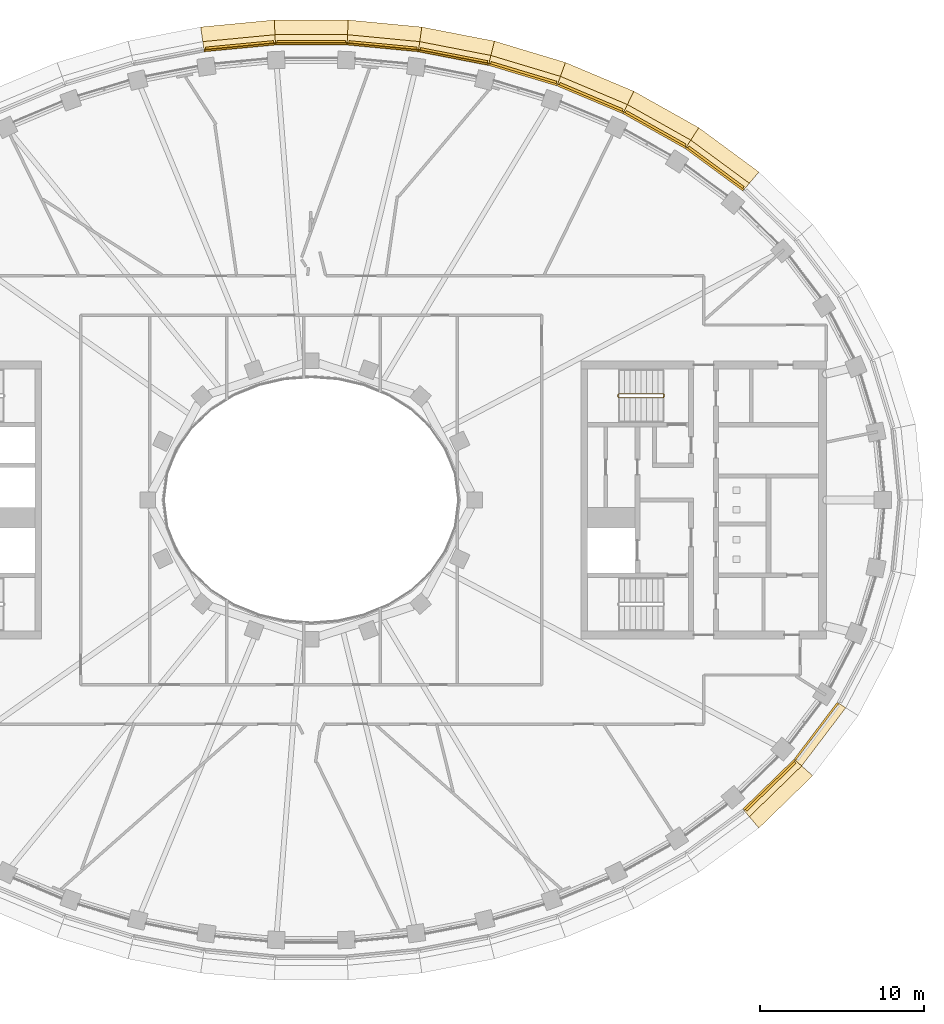
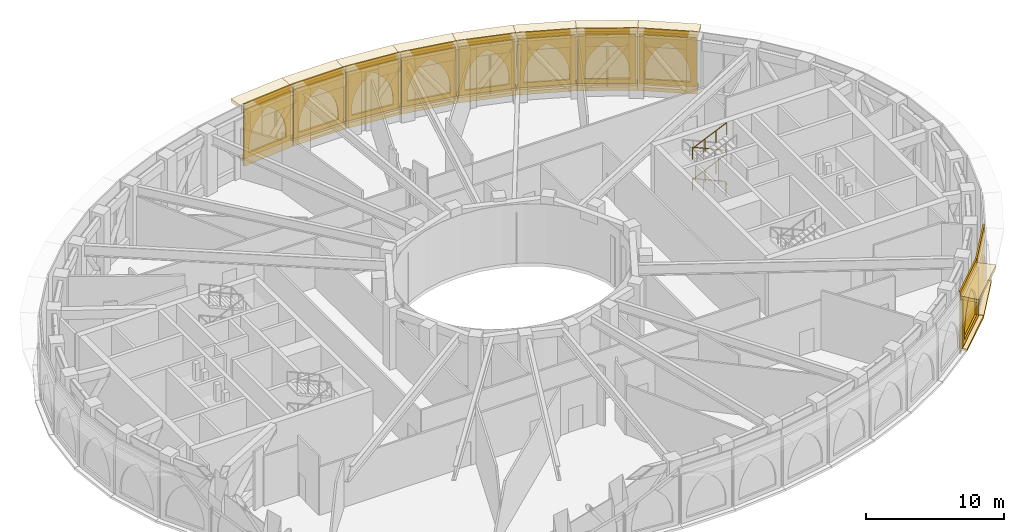
# One storey, part 22 of 23: 38 coverings, 1 railing.
"""IFC4 building model written with IfcOpenShell, lengths in metres."""

from ifc_helpers import new_model, si_unit, direction, frame, origin, origin_2d, place, context, subcontext, project, spatial, polyline, rectangle, outline, extrude, material, layer, layer_set, type_object, element, save


model = new_model("IFC4")

# Units and contexts
model_context = context("Model", 3, precision=1e-05, world=origin(), true_north=direction((0.0, 1.0)))
body_context = subcontext(model_context, "Body", "Model", "MODEL_VIEW")
ifc_project = project(units=[si_unit("LENGTHUNIT", "METRE"), si_unit("AREAUNIT", "SQUARE_METRE"), si_unit("VOLUMEUNIT", "CUBIC_METRE"), si_unit("PLANEANGLEUNIT", "RADIAN"), si_unit("MASSUNIT", "GRAM", prefix="KILO")], contexts=[model_context])

# Site, building, storey
site_placement = place(None, origin())
site = spatial("IfcSite", under=ifc_project, at=site_placement, CompositionType="ELEMENT")
building_placement = place(site_placement, origin())
building = spatial("IfcBuilding", under=site, at=building_placement, Name="Noorbagh Ring Tower", CompositionType="ELEMENT")
storey_placement = place(building_placement, frame((0.0, 0.0, 285.5)))
storey = spatial("IfcBuildingStorey", under=building, at=storey_placement, Name="L61", CompositionType="ELEMENT", Elevation=285.5)

# Railing
ifc_material_1 = material(Name="Stainless steel", Category="steel")
railing_type = type_object("IfcRailingType", Name="CORE-STAIR-GUARD", PredefinedType="GUARDRAIL", material=ifc_material_1)
railing_placement = place(storey_placement, frame((21.580078125, 6.449951171875, 0.0)))
element("IfcRailing", 1, at=railing_placement, inside=storey, type_object=railing_type, Name="L61 ST3 stair guard", PredefinedType="GUARDRAIL", context=body_context, shape_type="SweptSolid", body=[
    extrude(rectangle(XDim=0.048095703125, YDim=0.048095703125, at=origin_2d()), frame((0.0, 0.0, 1.076171875), z_axis=(0.0, -1.0, 0.0), x_axis=(1.0, 0.0, 0.0)), (0.0, 0.0, 1.0), 0.14990234375),
    extrude(rectangle(XDim=0.048095703125, YDim=0.048095703125, at=origin_2d()), frame((0.0, -0.14990234375, 1.076171875), z_axis=(-0.195046945594, 0.779236333862, 0.595606770449), x_axis=(-0.970072785993, -0.242814311512, 0.0)), (0.0, 0.0, 1.0), 0.256591796875),
    extrude(rectangle(XDim=0.048095703125, YDim=0.048095703125, at=origin_2d()), frame((-0.050048828125, 0.050048828125, 1.22900390625), z_axis=(-0.912149621895, 0.0, 0.409857374312), x_axis=(0.0, -1.0, 0.0)), (0.0, 0.0, 1.0), 2.98193359375),
    extrude(rectangle(XDim=0.048095703125, YDim=0.048095703125, at=origin_2d()), frame((-2.77001953125, 0.050048828125, 2.451171875), z_axis=(-0.707106781187, -0.707106781187, 0.0), x_axis=(0.707106781187, -0.707106781187, 0.0)), (0.0, 0.0, 1.0), 0.07080078125),
    extrude(rectangle(XDim=0.048095703125, YDim=0.048095703125, at=origin_2d()), frame((-2.820068359375, 0.0, 2.451171875), z_axis=(0.0, -1.0, 0.0), x_axis=(1.0, 0.0, 0.0)), (0.0, 0.0, 1.0), 0.14990234375),
    extrude(rectangle(XDim=0.048095703125, YDim=0.048095703125, at=origin_2d()), frame((-2.820068359375, -0.14990234375, 2.451171875), z_axis=(0.297155754911, -0.297155754911, 0.90741220768), x_axis=(0.707106781187, 0.707106781187, 0.0)), (0.0, 0.0, 1.0), 0.16845703125),
    extrude(rectangle(XDim=0.048095703125, YDim=0.048095703125, at=origin_2d()), frame((-2.77001953125, -0.199951171875, 2.60400390625), z_axis=(0.912149621895, 0.0, 0.409857374312), x_axis=(0.0, 1.0, 0.0)), (0.0, 0.0, 1.0), 2.98193359375),
    extrude(rectangle(XDim=0.048095703125, YDim=0.048095703125, at=origin_2d()), frame((-0.050048828125, -0.199951171875, 3.826171875), z_axis=(0.242814311512, 0.970072785993, 0.0), x_axis=(-0.970072785993, 0.242814311512, 0.0)), (0.0, 0.0, 1.0), 0.2060546875),
    extrude(rectangle(XDim=0.048095703125, YDim=0.048095703125, at=origin_2d()), frame((0.0, 0.0, 3.826171875), z_axis=(0.0, -1.0, 0.0), x_axis=(1.0, 0.0, 0.0)), (0.0, 0.0, 1.0), 0.14990234375),
    extrude(rectangle(XDim=0.048095703125, YDim=0.048095703125, at=origin_2d()), frame((0.0, -0.14990234375, 3.826171875), z_axis=(-0.195046945594, 0.779236333862, 0.595606770449), x_axis=(-0.970072785993, -0.242814311512, 0.0)), (0.0, 0.0, 1.0), 0.256591796875),
    extrude(rectangle(XDim=0.048095703125, YDim=0.048095703125, at=origin_2d()), frame((-0.050048828125, 0.050048828125, 3.97900390625), z_axis=(-0.912149621895, 0.0, 0.409857374312), x_axis=(0.0, -1.0, 0.0)), (0.0, 0.0, 1.0), 2.98193359375),
    extrude(rectangle(XDim=0.048095703125, YDim=0.048095703125, at=origin_2d()), frame((-2.77001953125, 0.050048828125, 5.201171875), z_axis=(-0.707106781187, -0.707106781187, 0.0), x_axis=(0.707106781187, -0.707106781187, 0.0)), (0.0, 0.0, 1.0), 0.07080078125),
    extrude(rectangle(XDim=0.048095703125, YDim=0.048095703125, at=origin_2d()), frame((-2.820068359375, 0.0, 5.201171875), z_axis=(0.0, -1.0, 0.0), x_axis=(1.0, 0.0, 0.0)), (0.0, 0.0, 1.0), 0.14990234375),
    extrude(rectangle(XDim=0.048095703125, YDim=0.048095703125, at=origin_2d()), frame((-2.820068359375, -0.14990234375, 5.201171875), z_axis=(0.297155754911, -0.297155754911, 0.90741220768), x_axis=(0.707106781187, 0.707106781187, 0.0)), (0.0, 0.0, 1.0), 0.16845703125),
    extrude(rectangle(XDim=0.048095703125, YDim=0.048095703125, at=origin_2d()), frame((-2.77001953125, -0.199951171875, 5.35400390625), z_axis=(0.912149621895, 0.0, 0.409857374312), x_axis=(0.0, 1.0, 0.0)), (0.0, 0.0, 1.0), 2.98193359375),
    extrude(rectangle(XDim=0.0419921875, YDim=0.0419921875, at=origin_2d()), origin(), (0.0, 0.0, 1.0), 1.052001953125),
    extrude(rectangle(XDim=0.0419921875, YDim=0.0419921875, at=origin_2d()), frame((-0.956787109375, 0.050048828125, 0.560302734375)), (0.0, 0.0, 1.0), 1.052001953125),
    extrude(rectangle(XDim=0.0419921875, YDim=0.0419921875, at=origin_2d()), frame((-1.86328125, 0.050048828125, 0.967529296875)), (0.0, 0.0, 1.0), 1.052001953125),
    extrude(rectangle(XDim=0.0419921875, YDim=0.0419921875, at=origin_2d()), frame((-2.77001953125, 0.050048828125, 1.375)), (0.0, 0.0, 1.0), 1.052001953125),
    extrude(rectangle(XDim=0.0419921875, YDim=0.0419921875, at=origin_2d()), frame((-1.86328125, -0.199951171875, 1.935302734375)), (0.0, 0.0, 1.0), 1.052001953125),
    extrude(rectangle(XDim=0.0419921875, YDim=0.0419921875, at=origin_2d()), frame((-0.956787109375, -0.199951171875, 2.342529296875)), (0.0, 0.0, 1.0), 1.052001953125),
    extrude(rectangle(XDim=0.0419921875, YDim=0.0419921875, at=origin_2d()), frame((-0.050048828125, -0.199951171875, 2.75)), (0.0, 0.0, 1.0), 1.052001953125),
    extrude(rectangle(XDim=0.0419921875, YDim=0.0419921875, at=origin_2d()), frame((-0.956787109375, 0.050048828125, 3.310302734375)), (0.0, 0.0, 1.0), 1.052001953125),
    extrude(rectangle(XDim=0.0419921875, YDim=0.0419921875, at=origin_2d()), frame((-1.86328125, 0.050048828125, 3.717529296875)), (0.0, 0.0, 1.0), 1.052001953125),
    extrude(rectangle(XDim=0.0419921875, YDim=0.0419921875, at=origin_2d()), frame((-2.77001953125, 0.050048828125, 4.125)), (0.0, 0.0, 1.0), 1.052001953125),
    extrude(rectangle(XDim=0.0419921875, YDim=0.0419921875, at=origin_2d()), frame((-1.86328125, -0.199951171875, 4.685302734375)), (0.0, 0.0, 1.0), 1.052001953125),
    extrude(rectangle(XDim=0.0419921875, YDim=0.0419921875, at=origin_2d()), frame((-0.956787109375, -0.199951171875, 5.092529296875)), (0.0, 0.0, 1.0), 1.052001953125),
    extrude(rectangle(XDim=0.0419921875, YDim=0.0419921875, at=origin_2d()), frame((-0.050048828125, -0.199951171875, 5.5)), (0.0, 0.0, 1.0), 1.052001953125),
])

# Coverings
ifc_material_2 = material(Name="Aluminium 6063-T6 black anodised", Category="aluminium")
ifc_layer_1 = layer(ifc_material_2, 0.1201171875)
ifc_layer_set_1 = layer_set([ifc_layer_1], Name="Aluminium 6063-T6 black anodised")
covering_type_1 = type_object("IfcCoveringType", Name="ENV-LOUVRE-BAND", PredefinedType="CLADDING", material=ifc_layer_set_1)
covering_1_placement = place(storey_placement, frame((24.662109375, 20.2353515625, -0.300048828125), z_axis=(0.0, 0.0, 1.0), x_axis=(-0.805153045326, 0.593067090304, 0.0)))
element("IfcCovering", 2, at=covering_1_placement, inside=storey, type_object=covering_type_1, Name="Louvre screen chord 06", ObjectType="LOUVRE", PredefinedType="CLADDING", context=body_context, shape_type="SweptSolid", body=[
    extrude(rectangle(XDim=4.3486328125, YDim=0.1201171875, at=origin_2d()), origin(), (0.0, 0.0, 1.0), 5.5),
])
covering_2_placement = place(storey_placement, frame((20.990966796875, 22.604736328125, -0.300048828125), z_axis=(0.0, 0.0, 1.0), x_axis=(-0.872044586249, 0.48942643941, 0.0)))
element("IfcCovering", 3, at=covering_2_placement, inside=storey, type_object=covering_type_1, Name="Louvre screen chord 07", ObjectType="LOUVRE", PredefinedType="CLADDING", context=body_context, shape_type="SweptSolid", body=[
    extrude(rectangle(XDim=4.34912109375, YDim=0.1201171875, at=origin_2d()), origin(), (0.0, 0.0, 1.0), 5.5),
])
covering_3_placement = place(storey_placement, frame((17.0634765625, 24.52490234375, -0.300048828125), z_axis=(0.0, 0.0, 1.0), x_axis=(-0.921811566494, 0.387638279686, 0.0)))
element("IfcCovering", 4, at=covering_3_placement, inside=storey, type_object=covering_type_1, Name="Louvre screen chord 08", ObjectType="LOUVRE", PredefinedType="CLADDING", context=body_context, shape_type="SweptSolid", body=[
    extrude(rectangle(XDim=4.349365234375, YDim=0.1201171875, at=origin_2d()), origin(), (0.0, 0.0, 1.0), 5.5),
])
covering_4_placement = place(storey_placement, frame((12.947998046875, 26.0048828125, -0.300048828125), z_axis=(0.0, 0.0, 1.0), x_axis=(-0.957577925467, 0.28817445525, 0.0)))
element("IfcCovering", 5, at=covering_4_placement, inside=storey, type_object=covering_type_1, Name="Louvre screen chord 09", ObjectType="LOUVRE", PredefinedType="CLADDING", context=body_context, shape_type="SweptSolid", body=[
    extrude(rectangle(XDim=4.349609375, YDim=0.1201171875, at=origin_2d()), origin(), (0.0, 0.0, 1.0), 5.5),
])
for number, where, z_axis, x_axis, name in (
    (6, (8.700927734375, 27.053955078125, -0.300048828125), (0.0, 0.0, 1.0), (-0.981624952922, 0.190820470077, 0.0), "Louvre screen chord 10"),
    (7, (4.37060546875, 27.679931640625, -0.300048828125), (0.0, 0.0, 1.0), (-0.995476497323, 0.095008122171, 0.0), "Louvre screen chord 11"),
    (8, (0.0, 27.887939453125, -0.300048828125), (0.0, 0.0, 1.0), (-1.0, 0.0, 0.0), "Louvre screen chord 12"),
    (9, (-4.37060546875, 27.679931640625, -0.300048828125), (0.0, 0.0, 1.0), (-0.995476497323, -0.095008122171, 0.0), "Louvre screen chord 13"),
):
    element("IfcCovering", number, at=place(storey_placement, frame(where, z_axis=z_axis, x_axis=x_axis)), inside=storey, type_object=covering_type_1, Name=name, ObjectType="LOUVRE", PredefinedType="CLADDING", context=body_context, shape_type="SweptSolid", body=[
        extrude(rectangle(XDim=4.349853515625, YDim=0.1201171875, at=origin_2d()), origin(), (0.0, 0.0, 1.0), 5.5),
    ])
covering_5_placement = place(storey_placement, frame((27.993408203125, -17.41259765625, -0.300048828125), z_axis=(0.0, 0.0, 1.0), x_axis=(0.717224548362, 0.696842125038, 0.0)))
element("IfcCovering", 10, at=covering_5_placement, inside=storey, type_object=covering_type_1, Name="Louvre screen chord 42", ObjectType="LOUVRE", PredefinedType="CLADDING", context=body_context, shape_type="SweptSolid", body=[
    extrude(rectangle(XDim=4.347900390625, YDim=0.1201171875, at=origin_2d()), origin(), (0.0, 0.0, 1.0), 5.5),
])
covering_6_placement = place(storey_placement, frame((30.883544921875, -14.145263671875, -0.300048828125), z_axis=(0.0, 0.0, 1.0), x_axis=(0.604020184358, 0.796969018776, 0.0)))
element("IfcCovering", 11, at=covering_6_placement, inside=storey, type_object=covering_type_1, Name="Louvre screen chord 43", ObjectType="LOUVRE", PredefinedType="CLADDING", context=body_context, shape_type="SweptSolid", body=[
    extrude(rectangle(XDim=4.346923828125, YDim=0.1201171875, at=origin_2d()), origin(), (0.0, 0.0, 1.0), 5.5),
])
ifc_material_3 = material(Name="Red sandstone cladding", Category="masonry")
ifc_layer_2 = layer(ifc_material_3, 0.14990234375)
ifc_layer_set_2 = layer_set([ifc_layer_2], Name="Red sandstone cladding")
covering_type_2 = type_object("IfcCoveringType", Name="STYLE-BAND-ARCADE", PredefinedType="USERDEFINED", material=ifc_layer_set_2)
covering_7_placement = place(storey_placement, frame((26.471435546875, 19.163330078125, 0.25), z_axis=(0.593079629262, 0.805143809114, 0.0), x_axis=(-0.805143809114, 0.593079629262, 0.0)))
element("IfcCovering", 12, at=covering_7_placement, inside=storey, type_object=covering_type_2, Name="Blind arch bay of the band", ObjectType="ARCH", PredefinedType="USERDEFINED", context=body_context, shape_type="SweptSolid", body=[
    extrude(outline(polyline([(0.0, 0.0), (4.184814453125, 0.0), (4.184814453125, 4.300048828125), (0.0, 4.300048828125), (0.0, 0.0)]), holes=[polyline([(0.449951171875, 0.39990234375), (0.449951171875, 0.9052734375), (0.47802734375, 1.333984375), (0.56201171875, 1.75537109375), (0.7001953125, 2.162353515625), (0.89013671875, 2.547607421875), (1.12890625, 2.905029296875), (1.412109375, 3.22802734375), (1.735107421875, 3.511474609375), (2.092529296875, 3.75), (2.44970703125, 3.511474609375), (2.772705078125, 3.22802734375), (3.05615234375, 2.905029296875), (3.294921875, 2.547607421875), (3.48486328125, 2.162353515625), (3.623046875, 1.75537109375), (3.706787109375, 1.333984375), (3.73486328125, 0.9052734375), (3.73486328125, 0.39990234375), (0.449951171875, 0.39990234375)])]), origin(), (0.0, 0.0, -1.0), 0.14990234375),
])
covering_8_placement = place(storey_placement, frame((22.918701171875, 21.763671875, 0.25), z_axis=(0.489402470802, 0.872058037961, 0.0), x_axis=(-0.872058037961, 0.489402470802, 0.0)))
element("IfcCovering", 13, at=covering_8_placement, inside=storey, type_object=covering_type_2, Name="Blind arch bay of the band", ObjectType="ARCH", PredefinedType="USERDEFINED", context=body_context, shape_type="SweptSolid", body=[
    extrude(outline(polyline([(0.0, 0.0), (4.185302734375, 0.0), (4.185302734375, 4.300048828125), (0.0, 4.300048828125), (0.0, 0.0)]), holes=[polyline([(0.449951171875, 0.39990234375), (0.449951171875, 0.90478515625), (0.47802734375, 1.33349609375), (0.56201171875, 1.755126953125), (0.7001953125, 2.162109375), (0.89013671875, 2.547607421875), (1.12890625, 2.90478515625), (1.412353515625, 3.22802734375), (1.7353515625, 3.51123046875), (2.0927734375, 3.75), (2.4501953125, 3.51123046875), (2.773193359375, 3.22802734375), (3.056396484375, 2.90478515625), (3.29541015625, 2.547607421875), (3.4853515625, 2.162109375), (3.62353515625, 1.755126953125), (3.70751953125, 1.33349609375), (3.735595703125, 0.90478515625), (3.735595703125, 0.39990234375), (0.449951171875, 0.39990234375)])]), origin(), (0.0, 0.0, -1.0), 0.14990234375),
])
covering_9_placement = place(storey_placement, frame((19.07421875, 23.9072265625, 0.25), z_axis=(0.387624121421, 0.92181752017, 0.0), x_axis=(-0.92181752017, 0.387624121421, 0.0)))
element("IfcCovering", 14, at=covering_9_placement, inside=storey, type_object=covering_type_2, Name="Blind arch bay of the band", ObjectType="ARCH", PredefinedType="USERDEFINED", context=body_context, shape_type="SweptSolid", body=[
    extrude(outline(polyline([(0.0, 0.0), (4.185791015625, 0.0), (4.185791015625, 4.300048828125), (0.0, 4.300048828125), (0.0, 0.0)]), holes=[polyline([(0.449951171875, 0.39990234375), (0.449951171875, 0.904541015625), (0.47802734375, 1.33349609375), (0.56201171875, 1.7548828125), (0.7001953125, 2.161865234375), (0.89013671875, 2.54736328125), (1.12890625, 2.90478515625), (1.412353515625, 3.227783203125), (1.735595703125, 3.51123046875), (2.093017578125, 3.75), (2.4501953125, 3.51123046875), (2.7734375, 3.227783203125), (3.056884765625, 2.90478515625), (3.295654296875, 2.54736328125), (3.485595703125, 2.161865234375), (3.623779296875, 1.7548828125), (3.707763671875, 1.33349609375), (3.73583984375, 0.904541015625), (3.73583984375, 0.39990234375), (0.449951171875, 0.39990234375)])]), origin(), (0.0, 0.0, -1.0), 0.14990234375),
])
covering_10_placement = place(storey_placement, frame((15.0126953125, 25.602783203125, 0.25), z_axis=(0.288182515773, 0.957575499688, 0.0), x_axis=(-0.957575499688, 0.288182515773, 0.0)))
element("IfcCovering", 15, at=covering_10_placement, inside=storey, type_object=covering_type_2, Name="Blind arch bay of the band", ObjectType="ARCH", PredefinedType="USERDEFINED", context=body_context, shape_type="SweptSolid", body=[
    extrude(outline(polyline([(0.0, 0.0), (4.185791015625, 0.0), (4.185791015625, 4.300048828125), (0.0, 4.300048828125), (0.0, 0.0)]), holes=[polyline([(0.449951171875, 0.39990234375), (0.449951171875, 0.904296875), (0.47802734375, 1.333251953125), (0.56201171875, 1.7548828125), (0.7001953125, 2.161865234375), (0.890380859375, 2.54736328125), (1.129150390625, 2.90478515625), (1.41259765625, 3.227783203125), (1.735595703125, 3.51123046875), (2.093017578125, 3.75), (2.450439453125, 3.51123046875), (2.773681640625, 3.227783203125), (3.056884765625, 2.90478515625), (3.2958984375, 2.54736328125), (3.48583984375, 2.161865234375), (3.6240234375, 1.7548828125), (3.7080078125, 1.333251953125), (3.736083984375, 0.904296875), (3.736083984375, 0.39990234375), (0.449951171875, 0.39990234375)])]), origin(), (0.0, 0.0, -1.0), 0.14990234375),
])
covering_11_placement = place(storey_placement, frame((10.7958984375, 26.860595703125, 0.25), z_axis=(0.190819708322, 0.981625101001, 0.0), x_axis=(-0.981625101001, 0.190819708322, 0.0)))
element("IfcCovering", 16, at=covering_11_placement, inside=storey, type_object=covering_type_2, Name="Blind arch bay of the band", ObjectType="ARCH", PredefinedType="USERDEFINED", context=body_context, shape_type="SweptSolid", body=[
    extrude(outline(polyline([(0.0, 0.0), (4.186279296875, 0.0), (4.186279296875, 4.300048828125), (0.0, 4.300048828125), (0.0, 0.0)]), holes=[polyline([(0.449951171875, 0.39990234375), (0.449951171875, 0.904052734375), (0.47802734375, 1.3330078125), (0.56201171875, 1.754638671875), (0.7001953125, 2.16162109375), (0.890380859375, 2.547119140625), (1.129150390625, 2.90478515625), (1.41259765625, 3.227783203125), (1.735595703125, 3.51123046875), (2.093017578125, 3.75), (2.450439453125, 3.51123046875), (2.773681640625, 3.227783203125), (3.05712890625, 2.90478515625), (3.2958984375, 2.547119140625), (3.486083984375, 2.16162109375), (3.624267578125, 1.754638671875), (3.7080078125, 1.3330078125), (3.736083984375, 0.904052734375), (3.736083984375, 0.39990234375), (0.449951171875, 0.39990234375)])]), origin(), (0.0, 0.0, -1.0), 0.14990234375),
])
covering_12_placement = place(storey_placement, frame((6.474365234375, 27.690185546875, 0.25), z_axis=(0.094998982718, 0.995477369548, 0.0), x_axis=(-0.995477369548, 0.094998982718, 0.0)))
element("IfcCovering", 17, at=covering_12_placement, inside=storey, type_object=covering_type_2, Name="Blind arch bay of the band", ObjectType="ARCH", PredefinedType="USERDEFINED", context=body_context, shape_type="SweptSolid", body=[
    extrude(outline(polyline([(0.0, 0.0), (4.1865234375, 0.0), (4.1865234375, 4.300048828125), (0.0, 4.300048828125), (0.0, 0.0)]), holes=[polyline([(0.449951171875, 0.39990234375), (0.449951171875, 0.904052734375), (0.47802734375, 1.3330078125), (0.56201171875, 1.754638671875), (0.7001953125, 2.16162109375), (0.890380859375, 2.547119140625), (1.129150390625, 2.904541015625), (1.41259765625, 3.227783203125), (1.735595703125, 3.51123046875), (2.09326171875, 3.75), (2.45068359375, 3.51123046875), (2.773681640625, 3.227783203125), (3.05712890625, 2.904541015625), (3.2958984375, 2.547119140625), (3.486083984375, 2.16162109375), (3.624267578125, 1.754638671875), (3.708251953125, 1.3330078125), (3.736328125, 0.904052734375), (3.736328125, 0.39990234375), (0.449951171875, 0.39990234375)])]), origin(), (0.0, 0.0, -1.0), 0.14990234375),
])
covering_13_placement = place(storey_placement, frame((2.09326171875, 28.097900390625, 0.25), z_axis=(0.0, 1.0, 0.0), x_axis=(-1.0, 0.0, 0.0)))
element("IfcCovering", 18, at=covering_13_placement, inside=storey, type_object=covering_type_2, Name="Blind arch bay of the band", ObjectType="ARCH", PredefinedType="USERDEFINED", context=body_context, shape_type="SweptSolid", body=[
    extrude(outline(polyline([(0.0, 0.0), (4.1865234375, 0.0), (4.1865234375, 4.300048828125), (0.0, 4.300048828125), (0.0, 0.0)]), holes=[polyline([(0.449951171875, 0.39990234375), (0.449951171875, 0.904052734375), (0.47802734375, 1.3330078125), (0.56201171875, 1.754638671875), (0.7001953125, 2.16162109375), (0.890380859375, 2.547119140625), (1.129150390625, 2.904541015625), (1.41259765625, 3.227783203125), (1.735595703125, 3.51123046875), (2.09326171875, 3.75), (2.45068359375, 3.51123046875), (2.773681640625, 3.227783203125), (3.05712890625, 2.904541015625), (3.296142578125, 2.547119140625), (3.486083984375, 2.16162109375), (3.62451171875, 1.754638671875), (3.708251953125, 1.3330078125), (3.736328125, 0.904052734375), (3.736328125, 0.39990234375), (0.449951171875, 0.39990234375)])]), origin(), (0.0, 0.0, -1.0), 0.14990234375),
])
covering_14_placement = place(storey_placement, frame((-2.306884765625, 28.087890625, 0.25), z_axis=(-0.094998982718, 0.995477369548, 0.0), x_axis=(-0.995477369548, -0.094998982718, 0.0)))
element("IfcCovering", 19, at=covering_14_placement, inside=storey, type_object=covering_type_2, Name="Blind arch bay of the band", ObjectType="ARCH", PredefinedType="USERDEFINED", context=body_context, shape_type="SweptSolid", body=[
    extrude(outline(polyline([(0.0, 0.0), (4.1865234375, 0.0), (4.1865234375, 4.300048828125), (0.0, 4.300048828125), (0.0, 0.0)]), holes=[polyline([(0.449951171875, 0.39990234375), (0.449951171875, 0.904052734375), (0.47802734375, 1.3330078125), (0.56201171875, 1.754638671875), (0.7001953125, 2.16162109375), (0.890380859375, 2.547119140625), (1.129150390625, 2.904541015625), (1.41259765625, 3.227783203125), (1.735595703125, 3.51123046875), (2.09326171875, 3.75), (2.45068359375, 3.51123046875), (2.773681640625, 3.227783203125), (3.05712890625, 2.904541015625), (3.2958984375, 2.547119140625), (3.486083984375, 2.16162109375), (3.624267578125, 1.754638671875), (3.708251953125, 1.3330078125), (3.736328125, 0.904052734375), (3.736328125, 0.39990234375), (0.449951171875, 0.39990234375)])]), origin(), (0.0, 0.0, -1.0), 0.14990234375),
])
covering_15_placement = place(storey_placement, frame((26.639404296875, -19.021240234375, 0.25), z_axis=(0.696851724238, -0.717215221831, 0.0), x_axis=(0.717215221831, 0.696851724238, 0.0)))
element("IfcCovering", 20, at=covering_15_placement, inside=storey, type_object=covering_type_2, Name="Blind arch bay of the band", ObjectType="ARCH", PredefinedType="USERDEFINED", context=body_context, shape_type="SweptSolid", body=[
    extrude(outline(polyline([(0.0, 0.0), (4.184326171875, 0.0), (4.184326171875, 4.300048828125), (0.0, 4.300048828125), (0.0, 0.0)]), holes=[polyline([(0.449951171875, 0.39990234375), (0.449951171875, 0.90576171875), (0.47802734375, 1.33447265625), (0.56201171875, 1.755859375), (0.699951171875, 2.16259765625), (0.889892578125, 2.548095703125), (1.128662109375, 2.9052734375), (1.411865234375, 3.228271484375), (1.73486328125, 3.511474609375), (2.092041015625, 3.75), (2.44921875, 3.511474609375), (2.772216796875, 3.228271484375), (3.0556640625, 2.9052734375), (3.294189453125, 2.548095703125), (3.484130859375, 2.16259765625), (3.622314453125, 1.755859375), (3.706298828125, 1.33447265625), (3.734130859375, 0.90576171875), (3.734130859375, 0.39990234375), (0.449951171875, 0.39990234375)])]), origin(), (0.0, 0.0, -1.0), 0.14990234375),
])
ifc_material_4 = material(Name="Red sandstone eave", Category="masonry")
covering_type_3 = type_object("IfcCoveringType", Name="STYLE-BAND-EAVE", PredefinedType="USERDEFINED", material=ifc_material_4)
covering_16_placement = place(storey_placement, frame((0.0, 0.0, 4.550048828125)))
element("IfcCovering", 21, at=covering_16_placement, inside=storey, type_object=covering_type_3, Name="Chhajja eave", ObjectType="CHHAJJA", PredefinedType="USERDEFINED", context=body_context, shape_type="SweptSolid", body=[
    extrude(outline(polyline([(26.463134765625, 18.9833984375), (22.9326171875, 21.583740234375), (23.693115234375, 22.762451171875), (27.3701171875, 20.053955078125), (26.463134765625, 18.9833984375)])), origin(), (0.0, 0.0, 1.0), 0.300048828125),
])
covering_17_placement = place(storey_placement, frame((0.0, 0.0, 4.550048828125)))
element("IfcCovering", 22, at=covering_17_placement, inside=storey, type_object=covering_type_3, Name="Chhajja eave", ObjectType="CHHAJJA", PredefinedType="USERDEFINED", context=body_context, shape_type="SweptSolid", body=[
    extrude(outline(polyline([(22.9326171875, 21.583740234375), (19.108154296875, 23.730224609375), (19.72412109375, 24.989990234375), (23.693115234375, 22.762451171875), (22.9326171875, 21.583740234375)])), origin(), (0.0, 0.0, 1.0), 0.300048828125),
])
covering_18_placement = place(storey_placement, frame((0.0, 0.0, 4.550048828125)))
element("IfcCovering", 23, at=covering_18_placement, inside=storey, type_object=covering_type_3, Name="Chhajja eave", ObjectType="CHHAJJA", PredefinedType="USERDEFINED", context=body_context, shape_type="SweptSolid", body=[
    extrude(outline(polyline([(19.108154296875, 23.730224609375), (15.065185546875, 25.430419921875), (15.539794921875, 26.74951171875), (19.72412109375, 24.989990234375), (19.108154296875, 23.730224609375)])), origin(), (0.0, 0.0, 1.0), 0.300048828125),
])
covering_19_placement = place(storey_placement, frame((0.0, 0.0, 4.550048828125)))
element("IfcCovering", 24, at=covering_19_placement, inside=storey, type_object=covering_type_3, Name="Chhajja eave", ObjectType="CHHAJJA", PredefinedType="USERDEFINED", context=body_context, shape_type="SweptSolid", body=[
    extrude(outline(polyline([(15.065185546875, 25.430419921875), (10.865234375, 26.6943359375), (11.201416015625, 28.05517578125), (15.539794921875, 26.74951171875), (15.065185546875, 25.430419921875)])), origin(), (0.0, 0.0, 1.0), 0.300048828125),
])
covering_20_placement = place(storey_placement, frame((0.0, 0.0, 4.550048828125)))
element("IfcCovering", 25, at=covering_20_placement, inside=storey, type_object=covering_type_3, Name="Chhajja eave", ObjectType="CHHAJJA", PredefinedType="USERDEFINED", context=body_context, shape_type="SweptSolid", body=[
    extrude(outline(polyline([(10.865234375, 26.6943359375), (6.559814453125, 27.53125), (6.76025390625, 28.91845703125), (11.201416015625, 28.05517578125), (10.865234375, 26.6943359375)])), origin(), (0.0, 0.0, 1.0), 0.300048828125),
])
covering_21_placement = place(storey_placement, frame((0.0, 0.0, 4.550048828125)))
element("IfcCovering", 26, at=covering_21_placement, inside=storey, type_object=covering_type_3, Name="Chhajja eave", ObjectType="CHHAJJA", PredefinedType="USERDEFINED", context=body_context, shape_type="SweptSolid", body=[
    extrude(outline(polyline([(6.559814453125, 27.53125), (2.193115234375, 27.947998046875), (2.259765625, 29.347900390625), (6.76025390625, 28.91845703125), (6.559814453125, 27.53125)])), origin(), (0.0, 0.0, 1.0), 0.300048828125),
])
covering_22_placement = place(storey_placement, frame((0.0, 0.0, 4.550048828125)))
element("IfcCovering", 27, at=covering_22_placement, inside=storey, type_object=covering_type_3, Name="Chhajja eave", ObjectType="CHHAJJA", PredefinedType="USERDEFINED", context=body_context, shape_type="SweptSolid", body=[
    extrude(outline(polyline([(2.193115234375, 27.947998046875), (-2.193115234375, 27.947998046875), (-2.259765625, 29.347900390625), (2.259765625, 29.347900390625), (2.193115234375, 27.947998046875)])), origin(), (0.0, 0.0, 1.0), 0.300048828125),
])
covering_23_placement = place(storey_placement, frame((0.0, 0.0, 4.550048828125)))
element("IfcCovering", 28, at=covering_23_placement, inside=storey, type_object=covering_type_3, Name="Chhajja eave", ObjectType="CHHAJJA", PredefinedType="USERDEFINED", context=body_context, shape_type="SweptSolid", body=[
    extrude(outline(polyline([(-2.193115234375, 27.947998046875), (-6.559814453125, 27.53125), (-6.76025390625, 28.91845703125), (-2.259765625, 29.347900390625), (-2.193115234375, 27.947998046875)])), origin(), (0.0, 0.0, 1.0), 0.300048828125),
])
covering_24_placement = place(storey_placement, frame((0.0, 0.0, 4.550048828125)))
element("IfcCovering", 29, at=covering_24_placement, inside=storey, type_object=covering_type_3, Name="Chhajja eave", ObjectType="CHHAJJA", PredefinedType="USERDEFINED", context=body_context, shape_type="SweptSolid", body=[
    extrude(outline(polyline([(26.463134765625, -18.9833984375), (29.607666015625, -15.927978515625), (30.6591796875, -16.8583984375), (27.3701171875, -20.053955078125), (26.463134765625, -18.9833984375)])), origin(), (0.0, 0.0, 1.0), 0.300048828125),
])
ifc_material_5 = material(Name="Red sandstone eave", Category="masonry")
covering_type_4 = type_object("IfcCoveringType", Name="STYLE-BAND-SILL", PredefinedType="USERDEFINED", material=ifc_material_5)
covering_25_placement = place(storey_placement, frame((0.0, 0.0, 0.050048828125)))
element("IfcCovering", 30, at=covering_25_placement, inside=storey, type_object=covering_type_4, Name="Sill ledge", ObjectType="CHHAJJA", PredefinedType="USERDEFINED", context=body_context, shape_type="SweptSolid", body=[
    extrude(outline(polyline([(26.463134765625, 18.9833984375), (22.9326171875, 21.583740234375), (23.2041015625, 22.004638671875), (26.787109375, 19.365478515625), (26.463134765625, 18.9833984375)])), origin(), (0.0, 0.0, 1.0), 0.199951171875),
])
covering_26_placement = place(storey_placement, frame((0.0, 0.0, 0.050048828125)))
element("IfcCovering", 31, at=covering_26_placement, inside=storey, type_object=covering_type_4, Name="Sill ledge", ObjectType="CHHAJJA", PredefinedType="USERDEFINED", context=body_context, shape_type="SweptSolid", body=[
    extrude(outline(polyline([(22.9326171875, 21.583740234375), (19.108154296875, 23.730224609375), (19.328125, 24.18017578125), (23.2041015625, 22.004638671875), (22.9326171875, 21.583740234375)])), origin(), (0.0, 0.0, 1.0), 0.199951171875),
])
covering_27_placement = place(storey_placement, frame((0.0, 0.0, 0.050048828125)))
element("IfcCovering", 32, at=covering_27_placement, inside=storey, type_object=covering_type_4, Name="Sill ledge", ObjectType="CHHAJJA", PredefinedType="USERDEFINED", context=body_context, shape_type="SweptSolid", body=[
    extrude(outline(polyline([(19.108154296875, 23.730224609375), (15.065185546875, 25.430419921875), (15.234619140625, 25.901611328125), (19.328125, 24.18017578125), (19.108154296875, 23.730224609375)])), origin(), (0.0, 0.0, 1.0), 0.199951171875),
])
covering_28_placement = place(storey_placement, frame((0.0, 0.0, 0.050048828125)))
element("IfcCovering", 33, at=covering_28_placement, inside=storey, type_object=covering_type_4, Name="Sill ledge", ObjectType="CHHAJJA", PredefinedType="USERDEFINED", context=body_context, shape_type="SweptSolid", body=[
    extrude(outline(polyline([(15.065185546875, 25.430419921875), (10.865234375, 26.6943359375), (10.9853515625, 27.180419921875), (15.234619140625, 25.901611328125), (15.065185546875, 25.430419921875)])), origin(), (0.0, 0.0, 1.0), 0.199951171875),
])
covering_29_placement = place(storey_placement, frame((0.0, 0.0, 0.050048828125)))
element("IfcCovering", 34, at=covering_29_placement, inside=storey, type_object=covering_type_4, Name="Sill ledge", ObjectType="CHHAJJA", PredefinedType="USERDEFINED", context=body_context, shape_type="SweptSolid", body=[
    extrude(outline(polyline([(10.865234375, 26.6943359375), (6.559814453125, 27.53125), (6.63134765625, 28.026611328125), (10.9853515625, 27.180419921875), (10.865234375, 26.6943359375)])), origin(), (0.0, 0.0, 1.0), 0.199951171875),
])
covering_30_placement = place(storey_placement, frame((0.0, 0.0, 0.050048828125)))
element("IfcCovering", 35, at=covering_30_placement, inside=storey, type_object=covering_type_4, Name="Sill ledge", ObjectType="CHHAJJA", PredefinedType="USERDEFINED", context=body_context, shape_type="SweptSolid", body=[
    extrude(outline(polyline([(6.559814453125, 27.53125), (2.193115234375, 27.947998046875), (2.217041015625, 28.447998046875), (6.63134765625, 28.026611328125), (6.559814453125, 27.53125)])), origin(), (0.0, 0.0, 1.0), 0.199951171875),
])
covering_31_placement = place(storey_placement, frame((0.0, 0.0, 0.050048828125)))
element("IfcCovering", 36, at=covering_31_placement, inside=storey, type_object=covering_type_4, Name="Sill ledge", ObjectType="CHHAJJA", PredefinedType="USERDEFINED", context=body_context, shape_type="SweptSolid", body=[
    extrude(outline(polyline([(2.193115234375, 27.947998046875), (-2.193115234375, 27.947998046875), (-2.217041015625, 28.447998046875), (2.217041015625, 28.447998046875), (2.193115234375, 27.947998046875)])), origin(), (0.0, 0.0, 1.0), 0.199951171875),
])
covering_32_placement = place(storey_placement, frame((0.0, 0.0, 0.050048828125)))
element("IfcCovering", 37, at=covering_32_placement, inside=storey, type_object=covering_type_4, Name="Sill ledge", ObjectType="CHHAJJA", PredefinedType="USERDEFINED", context=body_context, shape_type="SweptSolid", body=[
    extrude(outline(polyline([(-2.193115234375, 27.947998046875), (-6.559814453125, 27.53125), (-6.63134765625, 28.026611328125), (-2.217041015625, 28.447998046875), (-2.193115234375, 27.947998046875)])), origin(), (0.0, 0.0, 1.0), 0.199951171875),
])
covering_33_placement = place(storey_placement, frame((0.0, 0.0, 0.050048828125)))
element("IfcCovering", 38, at=covering_33_placement, inside=storey, type_object=covering_type_4, Name="Sill ledge", ObjectType="CHHAJJA", PredefinedType="USERDEFINED", context=body_context, shape_type="SweptSolid", body=[
    extrude(outline(polyline([(26.463134765625, -18.9833984375), (29.607666015625, -15.927978515625), (29.983154296875, -16.260498046875), (26.787109375, -19.365478515625), (26.463134765625, -18.9833984375)])), origin(), (0.0, 0.0, 1.0), 0.199951171875),
])
covering_34_placement = place(storey_placement, frame((0.0, 0.0, 0.050048828125)))
element("IfcCovering", 39, at=covering_34_placement, inside=storey, type_object=covering_type_4, Name="Sill ledge", ObjectType="CHHAJJA", PredefinedType="USERDEFINED", context=body_context, shape_type="SweptSolid", body=[
    extrude(outline(polyline([(29.607666015625, -15.927978515625), (32.255126953125, -12.434814453125), (32.67919921875, -12.703125), (29.983154296875, -16.260498046875), (29.607666015625, -15.927978515625)])), origin(), (0.0, 0.0, 1.0), 0.199951171875),
])

save(model, "model.ifc")
